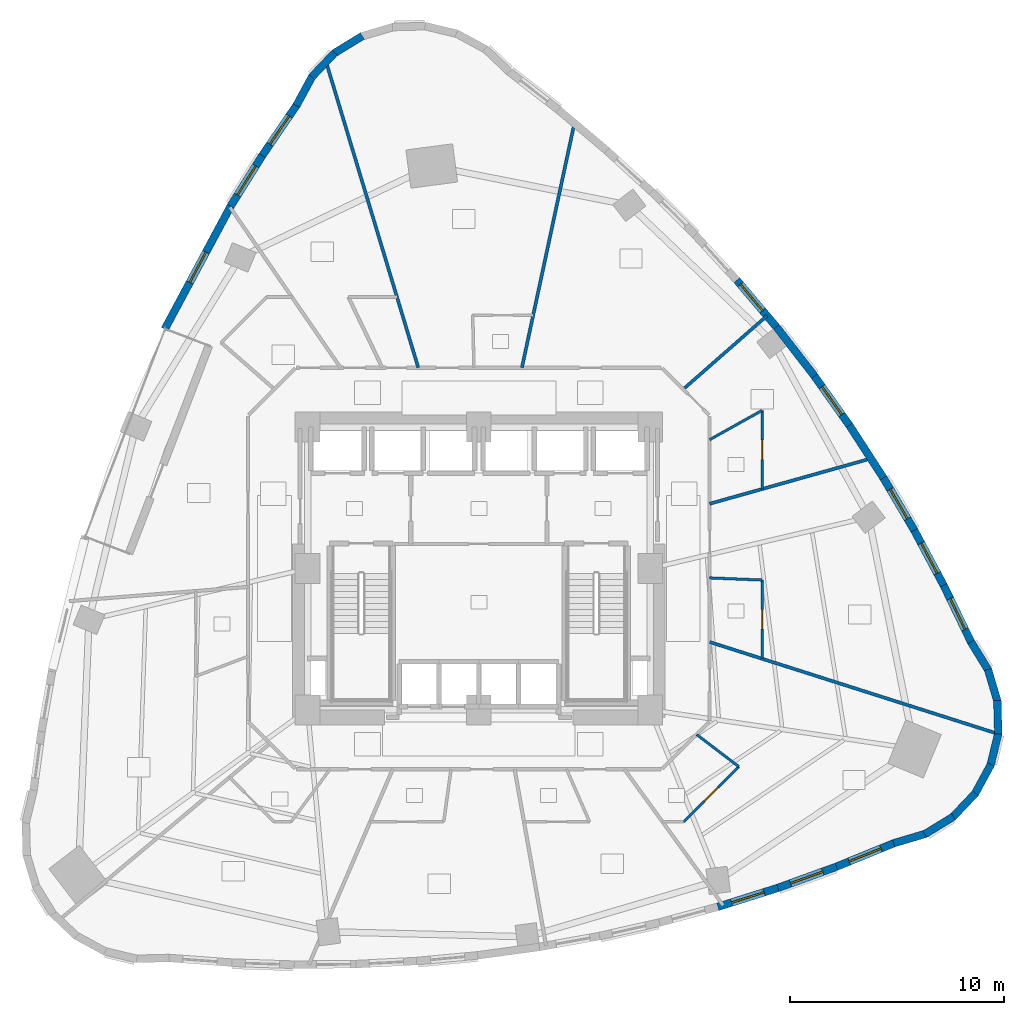
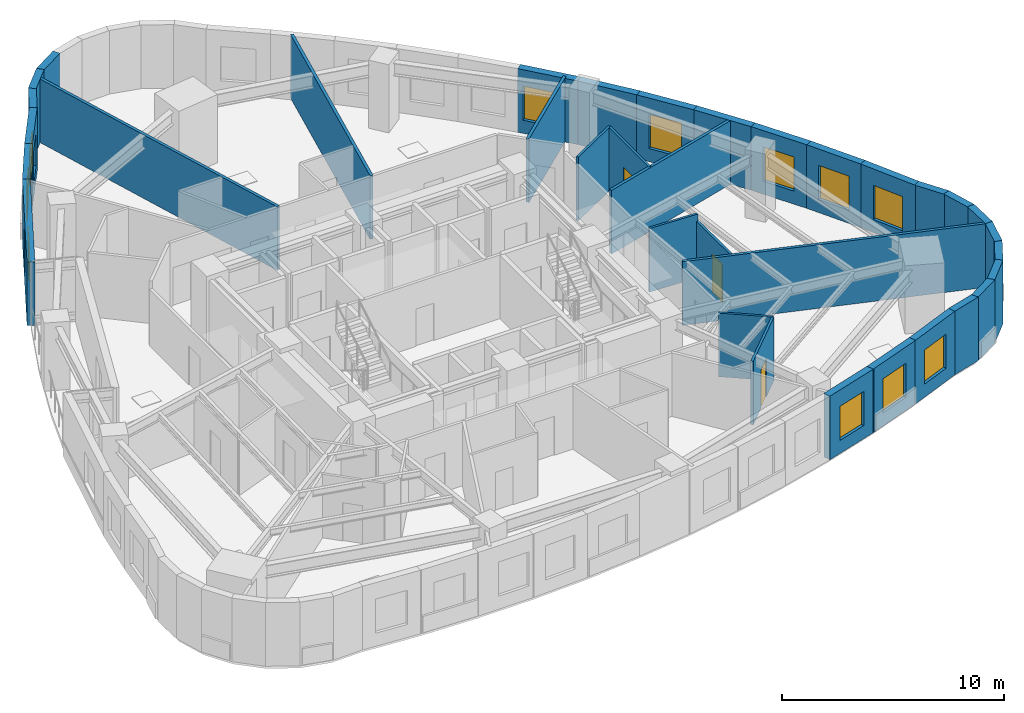
# One storey, part 8 of 12: 35 walls, 11 windows, 3 doors, 14 openings.
"""IFC4 building model written with IfcOpenShell, lengths in metres."""

from ifc_helpers import new_model, si_unit, direction, frame, frame_2d, origin, place, context, subcontext, project, spatial, rectangle, extrude, material, layer, layer_set, type_object, element, fill, save


model = new_model("IFC4")

# Units and contexts
model_context = context("Model", 3, precision=1e-05, world=origin(), true_north=direction((0.0, 1.0)))
body_context = subcontext(model_context, "Body", "Model", "MODEL_VIEW")
ifc_project = project(units=[si_unit("LENGTHUNIT", "METRE"), si_unit("AREAUNIT", "SQUARE_METRE"), si_unit("VOLUMEUNIT", "CUBIC_METRE"), si_unit("PLANEANGLEUNIT", "RADIAN"), si_unit("MASSUNIT", "GRAM", prefix="KILO")], contexts=[model_context])

# Site, building, storey
site_placement = place(None, origin())
site = spatial("IfcSite", under=ifc_project, at=site_placement, CompositionType="ELEMENT")
building_placement = place(site_placement, origin())
building = spatial("IfcBuilding", under=site, at=building_placement, Name="Ndelora Gate Hotel", CompositionType="ELEMENT")
storey_placement = place(building_placement, frame((0.0, 0.0, 68.0)))
storey = spatial("IfcBuildingStorey", under=building, at=storey_placement, Name="L16", CompositionType="ELEMENT", Elevation=68.0)

# Walls
ifc_material_1 = material(Name="Clay Brick Masonry", Category="masonry")
ifc_layer_1 = layer(ifc_material_1, 0.360107421875)
ifc_layer_set_1 = layer_set([ifc_layer_1], Name="Clay Brick Masonry")
wall_type_1 = type_object("IfcWallType", Name="WL-BRICK-360", PredefinedType="SOLIDWALL", material=ifc_layer_set_1)
wall_1_placement = place(storey_placement, frame((-6.77001953125, 24.058349609375, 0.0), z_axis=(0.0, 0.0, 1.0), x_axis=(0.852621439608, 0.522529119496, 0.0)))
element("IfcWall", 1, at=wall_1_placement, inside=storey, type_object=wall_type_1, Name="L16 Tower Brick Pier-and-Spandrel Wall TWR-6", PredefinedType="SOLIDWALL", context=body_context, shape_type="SweptSolid", body=[
    extrude(rectangle(XDim=1.564208984375, YDim=0.360107421875, at=frame_2d((0.7822265625, 0.0))), origin(), (0.0, 0.0, 1.0), 3.5),
])
for number, where, z_axis, x_axis, name in (
    (2, (-7.80810546875, 22.955078125, 0.0), (0.0, 0.0, 1.0), (0.688367852729, 0.725361771345, 0.0), "L16 Tower Brick Pier-and-Spandrel Wall TWR-7"),
    (3, (-8.525390625, 21.62060546875, 0.0), (0.0, 0.0, 1.0), (0.477177977799, 0.878806678118, 0.0), "L16 Tower Brick Pier-and-Spandrel Wall TWR-8"),
):
    element("IfcWall", number, at=place(storey_placement, frame(where, z_axis=z_axis, x_axis=x_axis)), inside=storey, type_object=wall_type_1, Name=name, PredefinedType="SOLIDWALL", context=body_context, shape_type="SweptSolid", body=[
        extrude(rectangle(XDim=1.56396484375, YDim=0.360107421875, at=frame_2d((0.781982421875, 0.0))), origin(), (0.0, 0.0, 1.0), 3.5),
    ])

# Wall, opening, window
wall_2_placement = place(storey_placement, frame((-10.11572265625, 19.29150390625, 0.0), z_axis=(0.0, 0.0, 1.0), x_axis=(0.563210121539, 0.826313717057, 0.0)))
wall_2 = element("IfcWall", 4, at=wall_2_placement, inside=storey, type_object=wall_type_1, Name="L16 Tower Brick Pier-and-Spandrel Wall TWR-9", PredefinedType="SOLIDWALL", context=body_context, shape_type="SweptSolid", body=[
    extrude(rectangle(XDim=2.8701171875, YDim=0.360107421875, at=frame_2d((1.43505859375, 0.0))), origin(), (0.0, 0.0, 1.0), 3.5),
])
opening_1_placement = place(wall_2_placement, frame((0.635009765625, 0.0, 0.719970703125)))
opening_1 = element("IfcOpeningElement", 5, at=opening_1_placement, cuts=wall_2, Name="Opening W03", PredefinedType="OPENING", context=body_context, shape_type="SweptSolid", body=[
    extrude(rectangle(XDim=1.60009765625, YDim=1.8798828125, at=frame_2d((0.800048828125, 0.93994140625))), frame((0.0, 0.18994140625, 0.0), z_axis=(0.0, -1.0, 0.0), x_axis=(1.0, 0.0, 0.0)), (0.0, 0.0, 1.0), 0.380126953125),
])
ifc_material_2 = material(Name="Insulated Low-E Double Glazing in Bronze Aluminium Frame", Category="aluminium")
window_type_1 = type_object("IfcWindowType", Name="WN-CORN-2100", PartitioningType="SINGLE_PANEL", PredefinedType="WINDOW", material=ifc_material_2)
window_1_placement = place(opening_1_placement, origin())
window_1 = element("IfcWindow", 6, at=window_1_placement, inside=storey, type_object=window_type_1, Name="L16 Deep-Set Brick-Pier Window W03", OverallHeight=1.8798828125, OverallWidth=1.60009765625, PartitioningType="SINGLE_PANEL", PredefinedType="WINDOW", context=body_context, shape_type="SweptSolid", body=[
    extrude(rectangle(XDim=1.60009765625, YDim=1.8798828125, at=frame_2d((0.800048828125, 0.93994140625))), frame((0.0, 0.030029296875, 0.0), z_axis=(0.0, -1.0, 0.0), x_axis=(1.0, 0.0, 0.0)), (0.0, 0.0, 1.0), 0.06005859375),
])
fill(opening_1, window_1)

wall_3_placement = place(storey_placement, frame((-11.59814453125, 16.92041015625, 0.0), z_axis=(0.0, 0.0, 1.0), x_axis=(0.530399781812, 0.847747646092, 0.0)))
wall_3 = element("IfcWall", 7, at=wall_3_placement, inside=storey, type_object=wall_type_1, Name="L16 Tower Brick Pier-and-Spandrel Wall TWR-10", PredefinedType="SOLIDWALL", context=body_context, shape_type="SweptSolid", body=[
    extrude(rectangle(XDim=2.846435546875, YDim=0.360107421875, at=frame_2d((1.42333984375, 0.0))), origin(), (0.0, 0.0, 1.0), 3.5),
])
opening_2_placement = place(wall_3_placement, frame((0.623291015625, 0.0, 0.719970703125)))
opening_2 = element("IfcOpeningElement", 8, at=opening_2_placement, cuts=wall_3, Name="Opening W01", PredefinedType="OPENING", context=body_context, shape_type="SweptSolid", body=[
    extrude(rectangle(XDim=1.60009765625, YDim=1.8798828125, at=frame_2d((0.800048828125, 0.93994140625))), frame((0.0, 0.18994140625, 0.0), z_axis=(0.0, -1.0, 0.0), x_axis=(1.0, 0.0, 0.0)), (0.0, 0.0, 1.0), 0.380126953125),
])
window_type_2 = type_object("IfcWindowType", Name="WN-DEEP-1600", PartitioningType="SINGLE_PANEL", PredefinedType="WINDOW", material=ifc_material_2)
window_2_placement = place(opening_2_placement, origin())
window_2 = element("IfcWindow", 9, at=window_2_placement, inside=storey, type_object=window_type_2, Name="L16 Deep-Set Brick-Pier Window W01", OverallHeight=1.8798828125, OverallWidth=1.60009765625, PartitioningType="SINGLE_PANEL", PredefinedType="WINDOW", context=body_context, shape_type="SweptSolid", body=[
    extrude(rectangle(XDim=1.60009765625, YDim=1.8798828125, at=frame_2d((0.800048828125, 0.93994140625))), frame((0.0, 0.030029296875, 0.0), z_axis=(0.0, -1.0, 0.0), x_axis=(1.0, 0.0, 0.0)), (0.0, 0.0, 1.0), 0.06005859375),
])
fill(opening_2, window_2)

wall_4_placement = place(storey_placement, frame((-14.67431640625, 11.176513671875, 0.0), z_axis=(0.0, 0.0, 1.0), x_axis=(0.4723493591, 0.881411415264, 0.0)))
wall_4 = element("IfcWall", 10, at=wall_4_placement, inside=storey, type_object=wall_type_1, Name="L16 Tower Brick Pier-and-Spandrel Wall TWR-11", PredefinedType="SOLIDWALL", context=body_context, shape_type="SweptSolid", body=[
    extrude(rectangle(XDim=6.565673828125, YDim=0.360107421875, at=frame_2d((3.28271484375, 0.0))), origin(), (0.0, 0.0, 1.0), 3.5),
])
opening_3_placement = place(wall_4_placement, frame((2.48291015625, 0.0, 0.719970703125)))
opening_3 = element("IfcOpeningElement", 11, at=opening_3_placement, cuts=wall_4, Name="Opening W01", PredefinedType="OPENING", context=body_context, shape_type="SweptSolid", body=[
    extrude(rectangle(XDim=1.60009765625, YDim=1.8798828125, at=frame_2d((0.800048828125, 0.93994140625))), frame((0.0, 0.18994140625, 0.0), z_axis=(0.0, -1.0, 0.0), x_axis=(1.0, 0.0, 0.0)), (0.0, 0.0, 1.0), 0.380126953125),
])
window_3_placement = place(opening_3_placement, origin())
window_3 = element("IfcWindow", 12, at=window_3_placement, inside=storey, type_object=window_type_2, Name="L16 Deep-Set Brick-Pier Window W01", OverallHeight=1.8798828125, OverallWidth=1.60009765625, PartitioningType="SINGLE_PANEL", PredefinedType="WINDOW", context=body_context, shape_type="SweptSolid", body=[
    extrude(rectangle(XDim=1.60009765625, YDim=1.8798828125, at=frame_2d((0.800048828125, 0.93994140625))), frame((0.0, 0.030029296875, 0.0), z_axis=(0.0, -1.0, 0.0), x_axis=(1.0, 0.0, 0.0)), (0.0, 0.0, 1.0), 0.06005859375),
])
fill(opening_3, window_3)

wall_5_placement = place(storey_placement, frame((13.966796875, -14.92138671875, 0.0), z_axis=(0.0, 0.0, 1.0), x_axis=(-0.953689260009, -0.300793609212, 0.0)))
wall_5 = element("IfcWall", 13, at=wall_5_placement, inside=storey, type_object=wall_type_1, Name="L16 Tower Brick Pier-and-Spandrel Wall TWR-36", PredefinedType="SOLIDWALL", context=body_context, shape_type="SweptSolid", body=[
    extrude(rectangle(XDim=2.940673828125, YDim=0.360107421875, at=frame_2d((1.47021484375, 0.0))), origin(), (0.0, 0.0, 1.0), 3.5),
])
opening_4_placement = place(wall_5_placement, frame((0.67041015625, 0.0, 0.719970703125)))
opening_4 = element("IfcOpeningElement", 14, at=opening_4_placement, cuts=wall_5, Name="Opening W01", PredefinedType="OPENING", context=body_context, shape_type="SweptSolid", body=[
    extrude(rectangle(XDim=1.60009765625, YDim=1.8798828125, at=frame_2d((0.800048828125, 0.93994140625))), frame((0.0, 0.18994140625, 0.0), z_axis=(0.0, -1.0, 0.0), x_axis=(1.0, 0.0, 0.0)), (0.0, 0.0, 1.0), 0.380126953125),
])
window_4_placement = place(opening_4_placement, origin())
window_4 = element("IfcWindow", 15, at=window_4_placement, inside=storey, type_object=window_type_2, Name="L16 Deep-Set Brick-Pier Window W01", OverallHeight=1.8798828125, OverallWidth=1.60009765625, PartitioningType="SINGLE_PANEL", PredefinedType="WINDOW", context=body_context, shape_type="SweptSolid", body=[
    extrude(rectangle(XDim=1.60009765625, YDim=1.8798828125, at=frame_2d((0.800048828125, 0.93994140625))), frame((0.0, 0.030029296875, 0.0), z_axis=(0.0, -1.0, 0.0), x_axis=(1.0, 0.0, 0.0)), (0.0, 0.0, 1.0), 0.06005859375),
])
fill(opening_4, window_4)

wall_6_placement = place(storey_placement, frame((16.704345703125, -13.9296875, 0.0), z_axis=(0.0, 0.0, 1.0), x_axis=(-0.940338629153, -0.340240007234, 0.0)))
wall_6 = element("IfcWall", 16, at=wall_6_placement, inside=storey, type_object=wall_type_1, Name="L16 Tower Brick Pier-and-Spandrel Wall TWR-37", PredefinedType="SOLIDWALL", context=body_context, shape_type="SweptSolid", body=[
    extrude(rectangle(XDim=2.96142578125, YDim=0.360107421875, at=frame_2d((1.480712890625, 0.0))), origin(), (0.0, 0.0, 1.0), 3.5),
])
opening_5_placement = place(wall_6_placement, frame((0.6806640625, 0.0, 0.719970703125)))
opening_5 = element("IfcOpeningElement", 17, at=opening_5_placement, cuts=wall_6, Name="Opening W03", PredefinedType="OPENING", context=body_context, shape_type="SweptSolid", body=[
    extrude(rectangle(XDim=1.60009765625, YDim=1.8798828125, at=frame_2d((0.800048828125, 0.93994140625))), frame((0.0, 0.18994140625, 0.0), z_axis=(0.0, -1.0, 0.0), x_axis=(1.0, 0.0, 0.0)), (0.0, 0.0, 1.0), 0.380126953125),
])
window_5_placement = place(opening_5_placement, origin())
window_5 = element("IfcWindow", 18, at=window_5_placement, inside=storey, type_object=window_type_1, Name="L16 Deep-Set Brick-Pier Window W03", OverallHeight=1.8798828125, OverallWidth=1.60009765625, PartitioningType="SINGLE_PANEL", PredefinedType="WINDOW", context=body_context, shape_type="SweptSolid", body=[
    extrude(rectangle(XDim=1.60009765625, YDim=1.8798828125, at=frame_2d((0.800048828125, 0.93994140625))), frame((0.0, 0.030029296875, 0.0), z_axis=(0.0, -1.0, 0.0), x_axis=(1.0, 0.0, 0.0)), (0.0, 0.0, 1.0), 0.06005859375),
])
fill(opening_5, window_5)

wall_7_placement = place(storey_placement, frame((19.422607421875, -12.817626953125, 0.0), z_axis=(0.0, 0.0, 1.0), x_axis=(-0.925660187863, -0.378355939039, 0.0)))
wall_7 = element("IfcWall", 19, at=wall_7_placement, inside=storey, type_object=wall_type_1, Name="L16 Tower Brick Pier-and-Spandrel Wall TWR-38", PredefinedType="SOLIDWALL", context=body_context, shape_type="SweptSolid", body=[
    extrude(rectangle(XDim=2.987060546875, YDim=0.360107421875, at=frame_2d((1.49365234375, 0.0))), origin(), (0.0, 0.0, 1.0), 3.5),
])
opening_6_placement = place(wall_7_placement, frame((0.693603515625, 0.0, 0.719970703125)))
opening_6 = element("IfcOpeningElement", 20, at=opening_6_placement, cuts=wall_7, Name="Opening W01", PredefinedType="OPENING", context=body_context, shape_type="SweptSolid", body=[
    extrude(rectangle(XDim=1.60009765625, YDim=1.8798828125, at=frame_2d((0.800048828125, 0.93994140625))), frame((0.0, 0.18994140625, 0.0), z_axis=(0.0, -1.0, 0.0), x_axis=(1.0, 0.0, 0.0)), (0.0, 0.0, 1.0), 0.380126953125),
])
window_6_placement = place(opening_6_placement, origin())
window_6 = element("IfcWindow", 21, at=window_6_placement, inside=storey, type_object=window_type_2, Name="L16 Deep-Set Brick-Pier Window W01", OverallHeight=1.8798828125, OverallWidth=1.60009765625, PartitioningType="SINGLE_PANEL", PredefinedType="WINDOW", context=body_context, shape_type="SweptSolid", body=[
    extrude(rectangle(XDim=1.60009765625, YDim=1.8798828125, at=frame_2d((0.800048828125, 0.93994140625))), frame((0.0, 0.030029296875, 0.0), z_axis=(0.0, -1.0, 0.0), x_axis=(1.0, 0.0, 0.0)), (0.0, 0.0, 1.0), 0.06005859375),
])
fill(opening_6, window_6)

# Walls
wall_8_placement = place(storey_placement, frame((20.875244140625, -12.389892578125, 0.0), z_axis=(0.0, 0.0, 1.0), x_axis=(-0.958804410816, -0.284067072714, 0.0)))
element("IfcWall", 22, at=wall_8_placement, inside=storey, type_object=wall_type_1, Name="L16 Tower Brick Pier-and-Spandrel Wall TWR-39", PredefinedType="SOLIDWALL", context=body_context, shape_type="SweptSolid", body=[
    extrude(rectangle(XDim=1.564208984375, YDim=0.360107421875, at=frame_2d((0.7822265625, 0.0))), origin(), (0.0, 0.0, 1.0), 3.5),
])
for number, where, z_axis, x_axis, name in (
    (23, (22.16357421875, -11.5927734375, 0.0), (0.0, 0.0, 1.0), (-0.852578817714, -0.522598660144, 0.0), "L16 Tower Brick Pier-and-Spandrel Wall TWR-40"),
    (24, (23.20166015625, -10.489501953125, 0.0), (0.0, 0.0, 1.0), (-0.688367852729, -0.725361771345, 0.0), "L16 Tower Brick Pier-and-Spandrel Wall TWR-41"),
):
    element("IfcWall", number, at=place(storey_placement, frame(where, z_axis=z_axis, x_axis=x_axis)), inside=storey, type_object=wall_type_1, Name=name, PredefinedType="SOLIDWALL", context=body_context, shape_type="SweptSolid", body=[
        extrude(rectangle(XDim=1.56396484375, YDim=0.360107421875, at=frame_2d((0.781982421875, 0.0))), origin(), (0.0, 0.0, 1.0), 3.5),
    ])
for number, where, z_axis, x_axis, name in (
    (25, (23.9189453125, -9.155029296875, 0.0), (0.0, 0.0, 1.0), (-0.477112528062, -0.878842213123, 0.0), "L16 Tower Brick Pier-and-Spandrel Wall TWR-42"),
    (26, (24.266357421875, -7.680419921875, 0.0), (0.0, 0.0, 1.0), (-0.233491011935, -0.97235896013, 0.0), "L16 Tower Brick Pier-and-Spandrel Wall TWR-43"),
):
    element("IfcWall", number, at=place(storey_placement, frame(where, z_axis=z_axis, x_axis=x_axis)), inside=storey, type_object=wall_type_1, Name=name, PredefinedType="SOLIDWALL", context=body_context, shape_type="SweptSolid", body=[
        extrude(rectangle(XDim=1.564208984375, YDim=0.360107421875, at=frame_2d((0.7822265625, 0.0))), origin(), (0.0, 0.0, 1.0), 3.5),
    ])
wall_9_placement = place(storey_placement, frame((24.22021484375, -6.166259765625, 0.0), z_axis=(0.0, 0.0, 1.0), x_axis=(0.026224581645, -0.999656076517, 0.0)))
element("IfcWall", 27, at=wall_9_placement, inside=storey, type_object=wall_type_1, Name="L16 Tower Brick Pier-and-Spandrel Wall TWR-44", PredefinedType="SOLIDWALL", context=body_context, shape_type="SweptSolid", body=[
    extrude(rectangle(XDim=1.56396484375, YDim=0.360107421875, at=frame_2d((0.781982421875, 0.0))), origin(), (0.0, 0.0, 1.0), 3.5),
])
for number, where, z_axis, x_axis, name in (
    (28, (23.78369140625, -4.71533203125, 0.0), (0.0, 0.0, 1.0), (0.283923577164, -0.958846912875, 0.0), "L16 Tower Brick Pier-and-Spandrel Wall TWR-45"),
    (29, (22.986572265625, -3.427001953125, 0.0), (0.0, 0.0, 1.0), (0.522529119496, -0.852621439608, 0.0), "L16 Tower Brick Pier-and-Spandrel Wall TWR-46"),
):
    element("IfcWall", number, at=place(storey_placement, frame(where, z_axis=z_axis, x_axis=x_axis)), inside=storey, type_object=wall_type_1, Name=name, PredefinedType="SOLIDWALL", context=body_context, shape_type="SweptSolid", body=[
        extrude(rectangle(XDim=1.564208984375, YDim=0.360107421875, at=frame_2d((0.7822265625, 0.0))), origin(), (0.0, 0.0, 1.0), 3.5),
    ])

# Wall, opening, window
wall_10_placement = place(storey_placement, frame((21.7119140625, -0.781005859375, 0.0), z_axis=(0.0, 0.0, 1.0), x_axis=(0.434746780096, -0.900552739819, 0.0)))
wall_10 = element("IfcWall", 30, at=wall_10_placement, inside=storey, type_object=wall_type_1, Name="L16 Tower Brick Pier-and-Spandrel Wall TWR-47", PredefinedType="SOLIDWALL", context=body_context, shape_type="SweptSolid", body=[
    extrude(rectangle(XDim=2.987060546875, YDim=0.360107421875, at=frame_2d((1.49365234375, 0.0))), origin(), (0.0, 0.0, 1.0), 3.5),
])
opening_7_placement = place(wall_10_placement, frame((0.693603515625, 0.0, 0.719970703125)))
opening_7 = element("IfcOpeningElement", 31, at=opening_7_placement, cuts=wall_10, Name="Opening W01", PredefinedType="OPENING", context=body_context, shape_type="SweptSolid", body=[
    extrude(rectangle(XDim=1.60009765625, YDim=1.8798828125, at=frame_2d((0.800048828125, 0.93994140625))), frame((0.0, 0.18994140625, 0.0), z_axis=(0.0, -1.0, 0.0), x_axis=(1.0, 0.0, 0.0)), (0.0, 0.0, 1.0), 0.380126953125),
])
window_7_placement = place(opening_7_placement, origin())
window_7 = element("IfcWindow", 32, at=window_7_placement, inside=storey, type_object=window_type_2, Name="L16 Deep-Set Brick-Pier Window W01", OverallHeight=1.8798828125, OverallWidth=1.60009765625, PartitioningType="SINGLE_PANEL", PredefinedType="WINDOW", context=body_context, shape_type="SweptSolid", body=[
    extrude(rectangle(XDim=1.60009765625, YDim=1.8798828125, at=frame_2d((0.800048828125, 0.93994140625))), frame((0.0, 0.030029296875, 0.0), z_axis=(0.0, -1.0, 0.0), x_axis=(1.0, 0.0, 0.0)), (0.0, 0.0, 1.0), 0.06005859375),
])
fill(opening_7, window_7)

wall_11_placement = place(storey_placement, frame((20.339111328125, 1.78662109375, 0.0), z_axis=(0.0, 0.0, 1.0), x_axis=(0.471187121095, -0.882033274267, 0.0)))
wall_11 = element("IfcWall", 33, at=wall_11_placement, inside=storey, type_object=wall_type_1, Name="L16 Tower Brick Pier-and-Spandrel Wall TWR-48", PredefinedType="SOLIDWALL", context=body_context, shape_type="SweptSolid", body=[
    extrude(rectangle(XDim=2.961669921875, YDim=0.360107421875, at=frame_2d((1.48095703125, 0.0))), origin(), (0.0, 0.0, 1.0), 3.5),
])
opening_8_placement = place(wall_11_placement, frame((0.6806640625, 0.0, 0.719970703125)))
opening_8 = element("IfcOpeningElement", 34, at=opening_8_placement, cuts=wall_11, Name="Opening W01", PredefinedType="OPENING", context=body_context, shape_type="SweptSolid", body=[
    extrude(rectangle(XDim=1.60009765625, YDim=1.8798828125, at=frame_2d((0.800048828125, 0.93994140625))), frame((0.0, 0.18994140625, 0.0), z_axis=(0.0, -1.0, 0.0), x_axis=(1.0, 0.0, 0.0)), (0.0, 0.0, 1.0), 0.380126953125),
])
window_8_placement = place(opening_8_placement, origin())
window_8 = element("IfcWindow", 35, at=window_8_placement, inside=storey, type_object=window_type_2, Name="L16 Deep-Set Brick-Pier Window W01", OverallHeight=1.8798828125, OverallWidth=1.60009765625, PartitioningType="SINGLE_PANEL", PredefinedType="WINDOW", context=body_context, shape_type="SweptSolid", body=[
    extrude(rectangle(XDim=1.60009765625, YDim=1.8798828125, at=frame_2d((0.800048828125, 0.93994140625))), frame((0.0, 0.030029296875, 0.0), z_axis=(0.0, -1.0, 0.0), x_axis=(1.0, 0.0, 0.0)), (0.0, 0.0, 1.0), 0.06005859375),
])
fill(opening_8, window_8)

wall_12_placement = place(storey_placement, frame((18.87158203125, 4.277099609375, 0.0), z_axis=(0.0, 0.0, 1.0), x_axis=(0.507397387312, -0.861712185912, 0.0)))
wall_12 = element("IfcWall", 36, at=wall_12_placement, inside=storey, type_object=wall_type_1, Name="L16 Tower Brick Pier-and-Spandrel Wall TWR-49", PredefinedType="SOLIDWALL", context=body_context, shape_type="SweptSolid", body=[
    extrude(rectangle(XDim=2.94091796875, YDim=0.360107421875, at=frame_2d((1.470458984375, 0.0))), origin(), (0.0, 0.0, 1.0), 3.5),
])
opening_9_placement = place(wall_12_placement, frame((0.67041015625, 0.0, 0.719970703125)))
opening_9 = element("IfcOpeningElement", 37, at=opening_9_placement, cuts=wall_12, Name="Opening W03", PredefinedType="OPENING", context=body_context, shape_type="SweptSolid", body=[
    extrude(rectangle(XDim=1.60009765625, YDim=1.8798828125, at=frame_2d((0.800048828125, 0.93994140625))), frame((0.0, 0.18994140625, 0.0), z_axis=(0.0, -1.0, 0.0), x_axis=(1.0, 0.0, 0.0)), (0.0, 0.0, 1.0), 0.380126953125),
])
window_9_placement = place(opening_9_placement, origin())
window_9 = element("IfcWindow", 38, at=window_9_placement, inside=storey, type_object=window_type_1, Name="L16 Deep-Set Brick-Pier Window W03", OverallHeight=1.8798828125, OverallWidth=1.60009765625, PartitioningType="SINGLE_PANEL", PredefinedType="WINDOW", context=body_context, shape_type="SweptSolid", body=[
    extrude(rectangle(XDim=1.60009765625, YDim=1.8798828125, at=frame_2d((0.800048828125, 0.93994140625))), frame((0.0, 0.030029296875, 0.0), z_axis=(0.0, -1.0, 0.0), x_axis=(1.0, 0.0, 0.0)), (0.0, 0.0, 1.0), 0.06005859375),
])
fill(opening_9, window_9)

# Wall
wall_13_placement = place(storey_placement, frame((17.308837890625, 6.690673828125, 0.0), z_axis=(0.0, 0.0, 1.0), x_axis=(0.543168221009, -0.839623894185, 0.0)))
element("IfcWall", 39, at=wall_13_placement, inside=storey, type_object=wall_type_1, Name="L16 Tower Brick Pier-and-Spandrel Wall TWR-50", PredefinedType="SOLIDWALL", context=body_context, shape_type="SweptSolid", body=[
    extrude(rectangle(XDim=2.92529296875, YDim=0.360107421875, at=frame_2d((1.462646484375, 0.0))), origin(), (0.0, 0.0, 1.0), 3.5),
])

# Wall, opening, window
wall_14_placement = place(storey_placement, frame((15.651123046875, 9.02734375, 0.0), z_axis=(0.0, 0.0, 1.0), x_axis=(0.578342640262, -0.815793963237, 0.0)))
wall_14 = element("IfcWall", 40, at=wall_14_placement, inside=storey, type_object=wall_type_1, Name="L16 Tower Brick Pier-and-Spandrel Wall TWR-51", PredefinedType="SOLIDWALL", context=body_context, shape_type="SweptSolid", body=[
    extrude(rectangle(XDim=2.914794921875, YDim=0.360107421875, at=frame_2d((1.45751953125, 0.0))), origin(), (0.0, 0.0, 1.0), 3.5),
])
opening_10_placement = place(wall_14_placement, frame((0.657470703125, 0.0, 0.719970703125)))
opening_10 = element("IfcOpeningElement", 41, at=opening_10_placement, cuts=wall_14, Name="Opening W01", PredefinedType="OPENING", context=body_context, shape_type="SweptSolid", body=[
    extrude(rectangle(XDim=1.60009765625, YDim=1.8798828125, at=frame_2d((0.800048828125, 0.93994140625))), frame((0.0, 0.18994140625, 0.0), z_axis=(0.0, -1.0, 0.0), x_axis=(1.0, 0.0, 0.0)), (0.0, 0.0, 1.0), 0.380126953125),
])
window_10_placement = place(opening_10_placement, origin())
window_10 = element("IfcWindow", 42, at=window_10_placement, inside=storey, type_object=window_type_2, Name="L16 Deep-Set Brick-Pier Window W01", OverallHeight=1.8798828125, OverallWidth=1.60009765625, PartitioningType="SINGLE_PANEL", PredefinedType="WINDOW", context=body_context, shape_type="SweptSolid", body=[
    extrude(rectangle(XDim=1.60009765625, YDim=1.8798828125, at=frame_2d((0.800048828125, 0.93994140625))), frame((0.0, 0.030029296875, 0.0), z_axis=(0.0, -1.0, 0.0), x_axis=(1.0, 0.0, 0.0)), (0.0, 0.0, 1.0), 0.06005859375),
])
fill(opening_10, window_10)

# Wall
wall_15_placement = place(storey_placement, frame((13.898681640625, 11.287109375, 0.0), z_axis=(0.0, 0.0, 1.0), x_axis=(0.612545453358, -0.79043536584, 0.0)))
element("IfcWall", 43, at=wall_15_placement, inside=storey, type_object=wall_type_1, Name="L16 Tower Brick Pier-and-Spandrel Wall TWR-52", PredefinedType="SOLIDWALL", context=body_context, shape_type="SweptSolid", body=[
    extrude(rectangle(XDim=2.909423828125, YDim=0.360107421875, at=frame_2d((1.45458984375, 0.0))), origin(), (0.0, 0.0, 1.0), 3.5),
])

# Wall, opening, window
wall_16_placement = place(storey_placement, frame((12.051025390625, 13.4697265625, 0.0), z_axis=(0.0, 0.0, 1.0), x_axis=(0.645836916795, -0.763475393779, 0.0)))
wall_16 = element("IfcWall", 44, at=wall_16_placement, inside=storey, type_object=wall_type_1, Name="L16 Tower Brick Pier-and-Spandrel Wall TWR-53", PredefinedType="SOLIDWALL", context=body_context, shape_type="SweptSolid", body=[
    extrude(rectangle(XDim=2.90966796875, YDim=0.360107421875, at=frame_2d((1.454833984375, 0.0))), origin(), (0.0, 0.0, 1.0), 3.5),
])
opening_11_placement = place(wall_16_placement, frame((0.260009765625, 0.0, 0.719970703125)))
opening_11 = element("IfcOpeningElement", 45, at=opening_11_placement, cuts=wall_16, Name="Opening W03", PredefinedType="OPENING", context=body_context, shape_type="SweptSolid", body=[
    extrude(rectangle(XDim=1.60009765625, YDim=1.8798828125, at=frame_2d((0.800048828125, 0.93994140625))), frame((0.0, 0.18994140625, 0.0), z_axis=(0.0, -1.0, 0.0), x_axis=(1.0, 0.0, 0.0)), (0.0, 0.0, 1.0), 0.380126953125),
])
window_11_placement = place(opening_11_placement, origin())
window_11 = element("IfcWindow", 46, at=window_11_placement, inside=storey, type_object=window_type_1, Name="L16 Deep-Set Brick-Pier Window W03", OverallHeight=1.8798828125, OverallWidth=1.60009765625, PartitioningType="SINGLE_PANEL", PredefinedType="WINDOW", context=body_context, shape_type="SweptSolid", body=[
    extrude(rectangle(XDim=1.60009765625, YDim=1.8798828125, at=frame_2d((0.800048828125, 0.93994140625))), frame((0.0, 0.030029296875, 0.0), z_axis=(0.0, -1.0, 0.0), x_axis=(1.0, 0.0, 0.0)), (0.0, 0.0, 1.0), 0.06005859375),
])
fill(opening_11, window_11)

# Walls
ifc_material_3 = material(Name="Fire-Rated Gypsum Stud Partition", Category="gypsum")
ifc_layer_2 = layer(ifc_material_3, 0.14990234375)
ifc_layer_set_2 = layer_set([ifc_layer_2], Name="Fire-Rated Gypsum Stud Partition")
wall_type_2 = type_object("IfcWallType", Name="WL-PART-150", PredefinedType="PARTITIONING", material=ifc_layer_set_2)
wall_17_placement = place(storey_placement, frame((10.780029296875, -3.433349609375, 0.0), z_axis=(0.0, 0.0, 1.0), x_axis=(0.952837774097, -0.303480108497, 0.0)))
element("IfcWall", 47, at=wall_17_placement, inside=storey, type_object=wall_type_2, Name="L16 Interior Wall IW-5", PredefinedType="PARTITIONING", context=body_context, shape_type="SweptSolid", body=[
    extrude(rectangle(XDim=14.142578125, YDim=0.14990234375, at=frame_2d((7.0712890625, 0.0))), origin(), (0.0, 0.0, 1.0), 3.5),
])
wall_18_placement = place(storey_placement, frame((10.780029296875, 3.0234375, 0.0), z_axis=(0.0, 0.0, 1.0), x_axis=(0.962851172518, 0.27003262688, 0.0)))
element("IfcWall", 48, at=wall_18_placement, inside=storey, type_object=wall_type_2, Name="L16 Interior Wall IW-5", PredefinedType="PARTITIONING", context=body_context, shape_type="SweptSolid", body=[
    extrude(rectangle(XDim=7.8251953125, YDim=0.14990234375, at=frame_2d((3.91259765625, 0.0))), origin(), (0.0, 0.0, 1.0), 3.5),
])
wall_19_placement = place(storey_placement, frame((9.552490234375, 8.37744140625, 0.0), z_axis=(0.0, 0.0, 1.0), x_axis=(0.75184000053, 0.659345594967, 0.0)))
element("IfcWall", 49, at=wall_19_placement, inside=storey, type_object=wall_type_2, Name="L16 Interior Wall IW-5", PredefinedType="PARTITIONING", context=body_context, shape_type="SweptSolid", body=[
    extrude(rectangle(XDim=5.197265625, YDim=0.14990234375, at=frame_2d((2.5986328125, 0.0))), origin(), (0.0, 0.0, 1.0), 3.5),
])
wall_20_placement = place(storey_placement, frame((2.0126953125, 9.3798828125, 0.0), z_axis=(0.0, 0.0, 1.0), x_axis=(0.209810339196, 0.977742103812, 0.0)))
element("IfcWall", 50, at=wall_20_placement, inside=storey, type_object=wall_type_2, Name="L16 Interior Wall IW-5", PredefinedType="PARTITIONING", context=body_context, shape_type="SweptSolid", body=[
    extrude(rectangle(XDim=11.67822265625, YDim=0.14990234375, at=frame_2d((5.839111328125, 0.0))), origin(), (0.0, 0.0, 1.0), 3.5),
])
wall_21_placement = place(storey_placement, frame((-2.827880859375, 9.3798828125, 0.0), z_axis=(0.0, 0.0, 1.0), x_axis=(-0.288668703069, 0.957429046911, 0.0)))
element("IfcWall", 51, at=wall_21_placement, inside=storey, type_object=wall_type_2, Name="L16 Interior Wall IW-5", PredefinedType="PARTITIONING", context=body_context, shape_type="SweptSolid", body=[
    extrude(rectangle(XDim=14.919921875, YDim=0.14990234375, at=frame_2d((7.4599609375, 0.0))), origin(), (0.0, 0.0, 1.0), 3.5),
])
ifc_material_4 = material(Name="Moisture-Resistant Bathroom Tile Partition", Category="gypsum")
ifc_layer_3 = layer(ifc_material_4, 0.1201171875)
ifc_layer_set_3 = layer_set([ifc_layer_3], Name="Moisture-Resistant Bathroom Tile Partition")
wall_type_3 = type_object("IfcWallType", Name="WL-WET-120", PredefinedType="PARTITIONING", material=ifc_layer_set_3)
wall_22_placement = place(storey_placement, frame((10.1748046875, -7.755126953125, 0.0), z_axis=(0.0, 0.0, 1.0), x_axis=(0.795354638284, -0.606144371714, 0.0)))
element("IfcWall", 52, at=wall_22_placement, inside=storey, type_object=wall_type_3, Name="L16 Interior Wall IW-7", PredefinedType="PARTITIONING", context=body_context, shape_type="SweptSolid", body=[
    extrude(rectangle(XDim=2.47216796875, YDim=0.1201171875, at=frame_2d((1.236083984375, 0.0))), origin(), (0.0, 0.0, 1.0), 3.5),
])

# Wall, opening, door
wall_23_placement = place(storey_placement, frame((12.14111328125, -9.253662109375, 0.0), z_axis=(0.0, 0.0, 1.0), x_axis=(-0.707106781187, -0.707106781187, 0.0)))
wall_23 = element("IfcWall", 53, at=wall_23_placement, inside=storey, type_object=wall_type_3, Name="L16 Interior Wall IW-7", PredefinedType="PARTITIONING", context=body_context, shape_type="SweptSolid", body=[
    extrude(rectangle(XDim=3.6435546875, YDim=0.1201171875, at=frame_2d((1.82177734375, 0.0))), origin(), (0.0, 0.0, 1.0), 3.5),
])
opening_12_placement = place(wall_23_placement, frame((1.36181640625, 0.0, 0.0)))
opening_12 = element("IfcOpeningElement", 54, at=opening_12_placement, cuts=wall_23, Name="Opening D03", PredefinedType="OPENING", context=body_context, shape_type="SweptSolid", body=[
    extrude(rectangle(XDim=0.919921875, YDim=2.10009765625, at=frame_2d((0.4599609375, 1.050048828125))), frame((0.0, 0.070068359375, 0.0), z_axis=(0.0, -1.0, 0.0), x_axis=(1.0, 0.0, 0.0)), (0.0, 0.0, 1.0), 0.14013671875),
])
ifc_material_5 = material(Name="Moisture-Resistant Hardwood En-Suite Door", Category="wood")
door_type = type_object("IfcDoorType", Name="DR-BATH-920", OperationType="SINGLE_SWING_LEFT", PredefinedType="DOOR", material=ifc_material_5)
door_1_placement = place(opening_12_placement, origin())
door_1 = element("IfcDoor", 55, at=door_1_placement, inside=storey, type_object=door_type, Name="L16 En-suite Bathroom 1905 Door", OperationType="SINGLE_SWING_RIGHT", OverallHeight=2.10009765625, OverallWidth=0.919921875, PredefinedType="DOOR", context=body_context, shape_type="SweptSolid", body=[
    extrude(rectangle(XDim=0.919921875, YDim=2.10009765625, at=frame_2d((0.4599609375, 1.050048828125))), frame((0.0, 0.02490234375, 0.0), z_axis=(0.0, -1.0, 0.0), x_axis=(1.0, 0.0, 0.0)), (0.0, 0.0, 1.0), 0.050048828125),
])
fill(opening_12, door_1)

# Wall
wall_24_placement = place(storey_placement, frame((13.22998046875, -0.5390625, 0.0), z_axis=(0.0, 0.0, 1.0), x_axis=(-0.999170452606, 0.040723539125, 0.0)))
element("IfcWall", 56, at=wall_24_placement, inside=storey, type_object=wall_type_3, Name="L16 Interior Wall IW-7", PredefinedType="PARTITIONING", context=body_context, shape_type="SweptSolid", body=[
    extrude(rectangle(XDim=2.451904296875, YDim=0.1201171875, at=frame_2d((1.22607421875, 0.0))), origin(), (0.0, 0.0, 1.0), 3.5),
])

# Wall, opening, door
wall_25_placement = place(storey_placement, frame((13.22998046875, -0.5390625, 0.0), z_axis=(0.0, 0.0, 1.0), x_axis=(0.0, -1.0, 0.0)))
wall_25 = element("IfcWall", 57, at=wall_25_placement, inside=storey, type_object=wall_type_3, Name="L16 Interior Wall IW-7", PredefinedType="PARTITIONING", context=body_context, shape_type="SweptSolid", body=[
    extrude(rectangle(XDim=3.6748046875, YDim=0.1201171875, at=frame_2d((1.83740234375, 0.0))), origin(), (0.0, 0.0, 1.0), 3.1201171875),
])
opening_13_placement = place(wall_25_placement, frame((1.37744140625, 0.0, 0.0)))
opening_13 = element("IfcOpeningElement", 58, at=opening_13_placement, cuts=wall_25, Name="Opening D03", PredefinedType="OPENING", context=body_context, shape_type="SweptSolid", body=[
    extrude(rectangle(XDim=0.919921875, YDim=2.10009765625, at=frame_2d((0.4599609375, 1.050048828125))), frame((0.0, 0.070068359375, 0.0), z_axis=(0.0, -1.0, 0.0), x_axis=(1.0, 0.0, 0.0)), (0.0, 0.0, 1.0), 0.14013671875),
])
door_2_placement = place(opening_13_placement, origin())
door_2 = element("IfcDoor", 59, at=door_2_placement, inside=storey, type_object=door_type, Name="L16 En-suite Bathroom 1906 Door", OperationType="SINGLE_SWING_LEFT", OverallHeight=2.10009765625, OverallWidth=0.919921875, PredefinedType="DOOR", context=body_context, shape_type="SweptSolid", body=[
    extrude(rectangle(XDim=0.919921875, YDim=2.10009765625, at=frame_2d((0.4599609375, 1.050048828125))), frame((0.0, 0.02490234375, 0.0), z_axis=(0.0, -1.0, 0.0), x_axis=(1.0, 0.0, 0.0)), (0.0, 0.0, 1.0), 0.050048828125),
])
fill(opening_13, door_2)

# Wall
wall_26_placement = place(storey_placement, frame((13.22998046875, 7.3837890625, 0.0), z_axis=(0.0, 0.0, 1.0), x_axis=(-0.873232148454, -0.487304437602, 0.0)))
element("IfcWall", 60, at=wall_26_placement, inside=storey, type_object=wall_type_3, Name="L16 Interior Wall IW-7", PredefinedType="PARTITIONING", context=body_context, shape_type="SweptSolid", body=[
    extrude(rectangle(XDim=2.8056640625, YDim=0.1201171875, at=frame_2d((1.40283203125, 0.0))), origin(), (0.0, 0.0, 1.0), 3.5),
])

# Wall, opening, door
wall_27_placement = place(storey_placement, frame((13.22998046875, 7.3837890625, 0.0), z_axis=(0.0, 0.0, 1.0), x_axis=(0.0, -1.0, 0.0)))
wall_27 = element("IfcWall", 61, at=wall_27_placement, inside=storey, type_object=wall_type_3, Name="L16 Interior Wall IW-7", PredefinedType="PARTITIONING", context=body_context, shape_type="SweptSolid", body=[
    extrude(rectangle(XDim=3.67333984375, YDim=0.1201171875, at=frame_2d((1.836669921875, 0.0))), origin(), (0.0, 0.0, 1.0), 3.5),
])
opening_14_placement = place(wall_27_placement, frame((1.376708984375, 0.0, 0.0)))
opening_14 = element("IfcOpeningElement", 62, at=opening_14_placement, cuts=wall_27, Name="Opening D03", PredefinedType="OPENING", context=body_context, shape_type="SweptSolid", body=[
    extrude(rectangle(XDim=0.919921875, YDim=2.10009765625, at=frame_2d((0.4599609375, 1.050048828125))), frame((0.0, 0.070068359375, 0.0), z_axis=(0.0, -1.0, 0.0), x_axis=(1.0, 0.0, 0.0)), (0.0, 0.0, 1.0), 0.14013671875),
])
door_3_placement = place(opening_14_placement, origin())
door_3 = element("IfcDoor", 63, at=door_3_placement, inside=storey, type_object=door_type, Name="L16 En-suite Bathroom 1907 Door", OperationType="SINGLE_SWING_RIGHT", OverallHeight=2.10009765625, OverallWidth=0.919921875, PredefinedType="DOOR", context=body_context, shape_type="SweptSolid", body=[
    extrude(rectangle(XDim=0.919921875, YDim=2.10009765625, at=frame_2d((0.4599609375, 1.050048828125))), frame((0.0, 0.02490234375, 0.0), z_axis=(0.0, -1.0, 0.0), x_axis=(1.0, 0.0, 0.0)), (0.0, 0.0, 1.0), 0.050048828125),
])
fill(opening_14, door_3)

save(model, "model.ifc")
